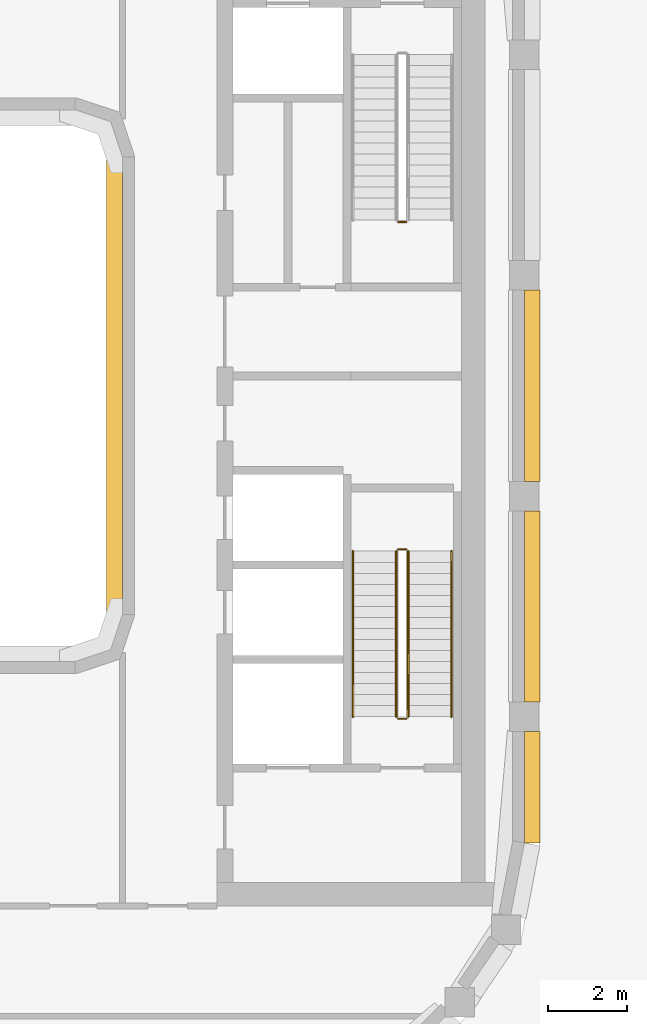
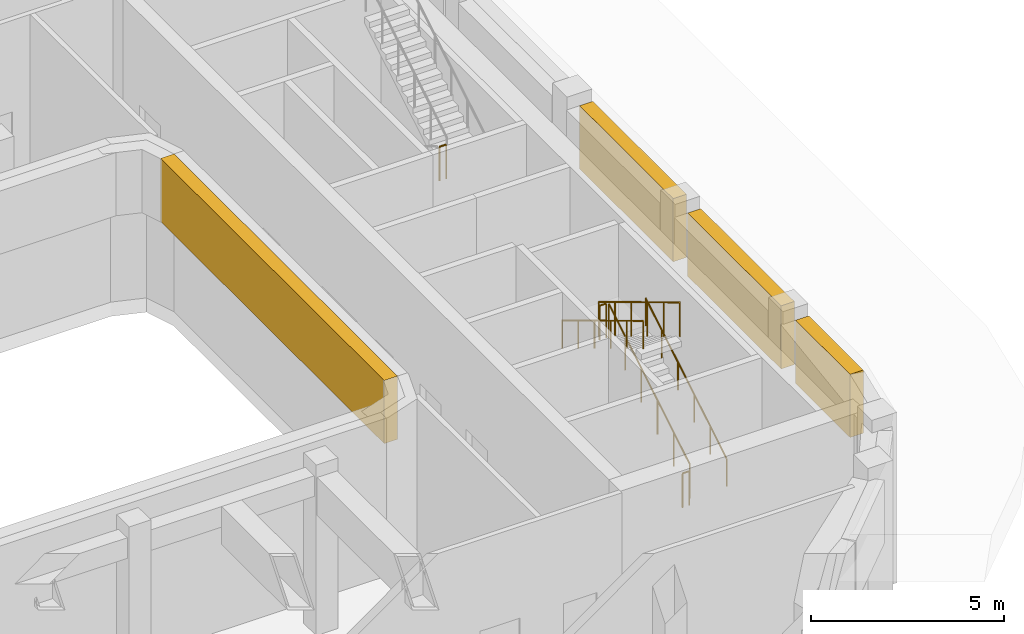
# One storey, part 14 of 17: 7 railings, 4 coverings.
"""IFC4 building model written with IfcOpenShell, lengths in metres."""

from ifc_helpers import new_model, si_unit, direction, frame, origin, origin_2d, place, context, subcontext, project, spatial, rectangle, circle, extrude, material, type_object, element, save


model = new_model("IFC4")

# Units and contexts
model_context = context("Model", 3, precision=1e-05, world=origin(), true_north=direction((0.0, 1.0)))
body_context = subcontext(model_context, "Body", "Model", "MODEL_VIEW")
ifc_project = project(units=[si_unit("LENGTHUNIT", "METRE"), si_unit("AREAUNIT", "SQUARE_METRE"), si_unit("VOLUMEUNIT", "CUBIC_METRE"), si_unit("PLANEANGLEUNIT", "RADIAN"), si_unit("MASSUNIT", "GRAM", prefix="KILO")], contexts=[model_context])

# Site, building, storey
site_placement = place(None, origin())
site = spatial("IfcSite", under=ifc_project, at=site_placement, CompositionType="ELEMENT")
building_placement = place(site_placement, origin())
building = spatial("IfcBuilding", under=site, at=building_placement, Name="Kiln Ring Residences", CompositionType="ELEMENT")
storey_placement = place(building_placement, frame((0.0, 0.0, 289.10009765625)))
storey = spatial("IfcBuildingStorey", under=building, at=storey_placement, Name="L75", CompositionType="ELEMENT", Elevation=289.10009765625)

# Railings
ifc_material_1 = material(Name="Stainless steel", Category="steel")
railing_type_1 = type_object("IfcRailingType", Name="CORE-STAIR-GUARD", PredefinedType="GUARDRAIL", material=ifc_material_1)
railing_1_placement = place(storey_placement, frame((22.0, 4.14990234375, 2.699951171875)))
element("IfcRailing", 1, at=railing_1_placement, inside=storey, type_object=railing_type_1, Name="L75 E-STN stair guard 2", PredefinedType="GUARDRAIL", context=body_context, shape_type="SweptSolid", body=[
    extrude(circle(Radius=0.02392578125, at=origin_2d()), frame((0.0, 0.0, 1.076171875), z_axis=(1.0, 0.0, 0.0), x_axis=(0.0, 1.0, 0.0)), (0.0, 0.0, 1.0), 0.199951171875),
    extrude(circle(Radius=0.02099609375, at=origin_2d()), origin(), (0.0, 0.0, 1.0), 1.052001953125),
    extrude(circle(Radius=0.02099609375, at=origin_2d()), frame((0.199951171875, 0.0, 0.0)), (0.0, 0.0, 1.0), 1.052001953125),
])
railing_2_placement = place(storey_placement, frame((22.25, -8.39990234375, 0.168701171875)))
element("IfcRailing", 2, at=railing_2_placement, inside=storey, type_object=railing_type_1, Name="L75 E-STS stair guard 1", PredefinedType="GUARDRAIL", context=body_context, shape_type="SweptSolid", body=[
    extrude(circle(Radius=0.02392578125, at=origin_2d()), frame((0.0, 0.0, 1.076171875), z_axis=(0.0, 0.856476492594, 0.516186030065), x_axis=(-1.0, 0.0, 0.0)), (0.0, 0.0, 1.0), 4.90380859375),
    extrude(circle(Radius=0.02099609375, at=origin_2d()), origin(), (0.0, 0.0, 1.0), 1.052001953125),
    extrude(circle(Radius=0.02099609375, at=origin_2d()), frame((0.0, 0.840087890625, 0.50634765625)), (0.0, 0.0, 1.0), 1.052001953125),
    extrude(circle(Radius=0.02099609375, at=origin_2d()), frame((0.0, 1.679931640625, 1.012451171875)), (0.0, 0.0, 1.0), 1.052001953125),
    extrude(circle(Radius=0.02099609375, at=origin_2d()), frame((0.0, 2.52001953125, 1.518798828125)), (0.0, 0.0, 1.0), 1.052001953125),
    extrude(circle(Radius=0.02099609375, at=origin_2d()), frame((0.0, 3.35986328125, 2.02490234375)), (0.0, 0.0, 1.0), 1.052001953125),
    extrude(circle(Radius=0.02099609375, at=origin_2d()), frame((0.0, 4.199951171875, 2.53125)), (0.0, 0.0, 1.0), 1.052001953125),
])
railing_3_placement = place(storey_placement, frame((22.199951171875, -4.14990234375, 2.699951171875)))
element("IfcRailing", 3, at=railing_3_placement, inside=storey, type_object=railing_type_1, Name="L75 E-STS stair guard 2", PredefinedType="GUARDRAIL", context=body_context, shape_type="SweptSolid", body=[
    extrude(circle(Radius=0.02392578125, at=origin_2d()), frame((0.0, 0.0, 1.076171875), z_axis=(-1.0, 0.0, 0.0), x_axis=(0.0, -1.0, 0.0)), (0.0, 0.0, 1.0), 0.199951171875),
    extrude(circle(Radius=0.02099609375, at=origin_2d()), origin(), (0.0, 0.0, 1.0), 1.052001953125),
    extrude(circle(Radius=0.02099609375, at=origin_2d()), frame((-0.199951171875, 0.0, 0.0)), (0.0, 0.0, 1.0), 1.052001953125),
])
railing_4_placement = place(storey_placement, frame((21.949951171875, -4.199951171875, 2.86865234375)))
element("IfcRailing", 4, at=railing_4_placement, inside=storey, type_object=railing_type_1, Name="L75 E-STS stair guard 3", PredefinedType="GUARDRAIL", context=body_context, shape_type="SweptSolid", body=[
    extrude(circle(Radius=0.02392578125, at=origin_2d()), frame((0.0, 0.0, 1.076171875), z_axis=(0.0, -0.856476492594, 0.516186030065), x_axis=(1.0, 0.0, 0.0)), (0.0, 0.0, 1.0), 4.90380859375),
    extrude(circle(Radius=0.02099609375, at=origin_2d()), origin(), (0.0, 0.0, 1.0), 1.052001953125),
    extrude(circle(Radius=0.02099609375, at=origin_2d()), frame((0.0, -0.840087890625, 0.50634765625)), (0.0, 0.0, 1.0), 1.052001953125),
    extrude(circle(Radius=0.02099609375, at=origin_2d()), frame((0.0, -1.679931640625, 1.012451171875)), (0.0, 0.0, 1.0), 1.052001953125),
    extrude(circle(Radius=0.02099609375, at=origin_2d()), frame((0.0, -2.52001953125, 1.518798828125)), (0.0, 0.0, 1.0), 1.052001953125),
    extrude(circle(Radius=0.02099609375, at=origin_2d()), frame((0.0, -3.35986328125, 2.02490234375)), (0.0, 0.0, 1.0), 1.052001953125),
    extrude(circle(Radius=0.02099609375, at=origin_2d()), frame((0.0, -4.199951171875, 2.53125)), (0.0, 0.0, 1.0), 1.052001953125),
])
railing_5_placement = place(storey_placement, frame((22.199951171875, -8.449951171875, 0.0)))
element("IfcRailing", 5, at=railing_5_placement, inside=storey, type_object=railing_type_1, Name="L75 E-STS stair guard 4", PredefinedType="GUARDRAIL", context=body_context, shape_type="SweptSolid", body=[
    extrude(circle(Radius=0.02392578125, at=origin_2d()), frame((0.0, 0.0, 1.076171875), z_axis=(-1.0, 0.0, 0.0), x_axis=(0.0, -1.0, 0.0)), (0.0, 0.0, 1.0), 0.199951171875),
    extrude(circle(Radius=0.02099609375, at=origin_2d()), origin(), (0.0, 0.0, 1.0), 1.052001953125),
    extrude(circle(Radius=0.02099609375, at=origin_2d()), frame((-0.199951171875, 0.0, 0.0)), (0.0, 0.0, 1.0), 1.052001953125),
])
ifc_material_2 = material(Name="Stainless steel", Category="steel")
railing_type_2 = type_object("IfcRailingType", Name="CORE-STAIR-HANDRAIL", PredefinedType="HANDRAIL", material=ifc_material_2)
railing_6_placement = place(storey_placement, frame((23.35009765625, -8.39990234375, 0.168701171875)))
element("IfcRailing", 6, at=railing_6_placement, inside=storey, type_object=railing_type_2, Name="L75 E-STS stair handrail 1", PredefinedType="HANDRAIL", context=body_context, shape_type="SweptSolid", body=[
    extrude(circle(Radius=0.02392578125, at=origin_2d()), frame((0.0, 0.0, 0.8759765625), z_axis=(0.0, 0.856476492594, 0.516186030065), x_axis=(-1.0, 0.0, 0.0)), (0.0, 0.0, 1.0), 4.90380859375),
    extrude(circle(Radius=0.02099609375, at=origin_2d()), origin(), (0.0, 0.0, 1.0), 0.851806640625),
    extrude(circle(Radius=0.02099609375, at=origin_2d()), frame((0.0, 0.840087890625, 0.50634765625)), (0.0, 0.0, 1.0), 0.851806640625),
    extrude(circle(Radius=0.02099609375, at=origin_2d()), frame((0.0, 1.679931640625, 1.012451171875)), (0.0, 0.0, 1.0), 0.851806640625),
    extrude(circle(Radius=0.02099609375, at=origin_2d()), frame((0.0, 2.52001953125, 1.518798828125)), (0.0, 0.0, 1.0), 0.851806640625),
    extrude(circle(Radius=0.02099609375, at=origin_2d()), frame((0.0, 3.35986328125, 2.02490234375)), (0.0, 0.0, 1.0), 0.851806640625),
    extrude(circle(Radius=0.02099609375, at=origin_2d()), frame((0.0, 4.199951171875, 2.53125)), (0.0, 0.0, 1.0), 0.851806640625),
])
railing_7_placement = place(storey_placement, frame((20.85009765625, -4.199951171875, 2.86865234375)))
element("IfcRailing", 7, at=railing_7_placement, inside=storey, type_object=railing_type_2, Name="L75 E-STS stair handrail 2", PredefinedType="HANDRAIL", context=body_context, shape_type="SweptSolid", body=[
    extrude(circle(Radius=0.02392578125, at=origin_2d()), frame((0.0, 0.0, 0.8759765625), z_axis=(0.0, -0.856476492594, 0.516186030065), x_axis=(1.0, 0.0, 0.0)), (0.0, 0.0, 1.0), 4.90380859375),
    extrude(circle(Radius=0.02099609375, at=origin_2d()), origin(), (0.0, 0.0, 1.0), 0.851806640625),
    extrude(circle(Radius=0.02099609375, at=origin_2d()), frame((0.0, -0.840087890625, 0.50634765625)), (0.0, 0.0, 1.0), 0.851806640625),
    extrude(circle(Radius=0.02099609375, at=origin_2d()), frame((0.0, -1.679931640625, 1.012451171875)), (0.0, 0.0, 1.0), 0.851806640625),
    extrude(circle(Radius=0.02099609375, at=origin_2d()), frame((0.0, -2.52001953125, 1.518798828125)), (0.0, 0.0, 1.0), 0.851806640625),
    extrude(circle(Radius=0.02099609375, at=origin_2d()), frame((0.0, -3.35986328125, 2.02490234375)), (0.0, 0.0, 1.0), 0.851806640625),
    extrude(circle(Radius=0.02099609375, at=origin_2d()), frame((0.0, -4.199951171875, 2.53125)), (0.0, 0.0, 1.0), 0.851806640625),
])

# Coverings
ifc_material_3 = material(Name="Concrete C35/45, exposed aggregate finish", Category="concrete")
covering_type = type_object("IfcCoveringType", Name="TIE BAND 2000 x 400", PredefinedType="CLADDING", material=ifc_material_3)
covering_1_placement = place(storey_placement, frame((25.39990234375, -10.1875, 3.0), z_axis=(0.0, 0.0, 1.0), x_axis=(0.0, 1.0, 0.0)))
element("IfcCovering", 8, at=covering_1_placement, inside=storey, type_object=covering_type, Name="TIE BAND L75", PredefinedType="CLADDING", context=body_context, shape_type="SweptSolid", body=[
    extrude(rectangle(XDim=2.824951171875, YDim=0.39990234375, at=origin_2d()), origin(), (0.0, 0.0, 1.0), 2.0),
])
for number, where, z_axis, x_axis, name in (
    (9, (25.39990234375, -5.60009765625, 3.0), (0.0, 0.0, 1.0), (0.0, 1.0, 0.0), "TIE BAND L75"),
    (10, (25.39990234375, 0.0, 3.0), (0.0, 0.0, 1.0), (0.0, 1.0, 0.0), "TIE BAND L75"),
):
    element("IfcCovering", number, at=place(storey_placement, frame(where, z_axis=z_axis, x_axis=x_axis)), inside=storey, type_object=covering_type, Name=name, PredefinedType="CLADDING", context=body_context, shape_type="SweptSolid", body=[
        extrude(rectangle(XDim=4.85009765625, YDim=0.39990234375, at=origin_2d()), origin(), (0.0, 0.0, 1.0), 2.0),
    ])
covering_2_placement = place(storey_placement, frame((14.800048828125, 0.0, 3.0), z_axis=(0.0, 0.0, 1.0), x_axis=(0.0, -1.0, 0.0)))
element("IfcCovering", 11, at=covering_2_placement, inside=storey, type_object=covering_type, Name="TIE BAND L75", PredefinedType="CLADDING", context=body_context, shape_type="SweptSolid", body=[
    extrude(rectangle(XDim=11.60009765625, YDim=0.39990234375, at=origin_2d()), origin(), (0.0, 0.0, 1.0), 2.0),
])

save(model, "model.ifc")
